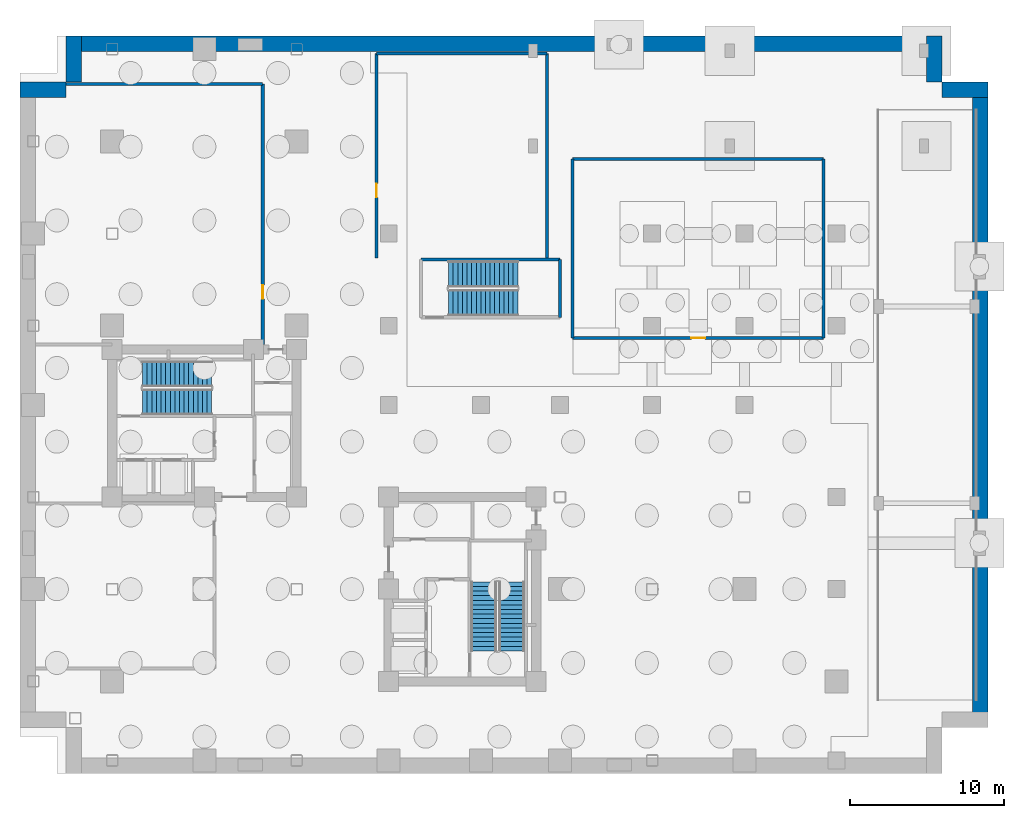
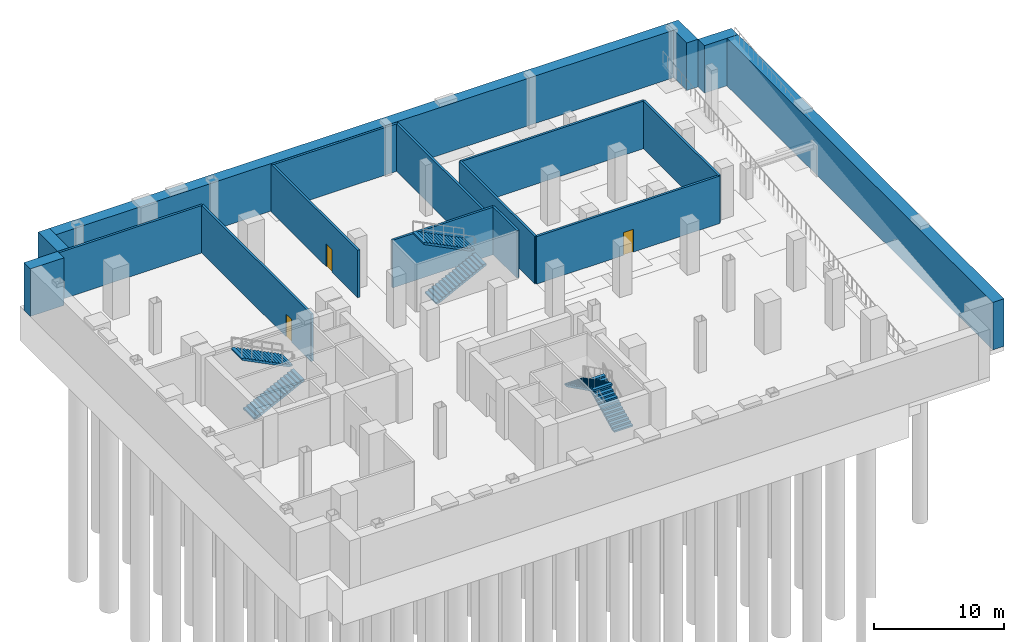
# One storey, part 4 of 7: 17 walls, 6 stair flights, 3 doors, 3 openings, 3 elements without a shape of their own.
"""IFC4 building model written with IfcOpenShell, lengths in metres."""

import ifcopenshell
import ifcopenshell.guid

model = None  # the IFC model being written
_history = None  # IfcOwnerHistory: only IFC2X3 demands one
_inside = {}  # id of a spatial element -> (the spatial element, [elements in it])
_under = {}  # id of a project, library or spatial element -> (it, [spatial elements below it])
_declared = {}  # id of a project -> (the project, [libraries it declares])
_typed = {}  # id of a type object -> (the type object, [elements of that type])
_made_of = {}  # id of a material, layer set ... -> (it, [elements and type objects made of it])


def new_model(schema):
    """Start an empty IFC model of exactly this schema.

    Asked for "IFC4X3", IfcOpenShell would pick the latest addendum, in which some entities
    have other attributes; the version numbers below select the first issue.
    IFC2X3 requires an IfcOwnerHistory on every rooted entity: one is made here for all.
    """
    global model, _history
    if schema == "IFC4X3":
        model = ifcopenshell.file(schema_version=(4, 3, 0, 0))
    else:
        model = ifcopenshell.file(schema=schema)
    _inside.clear()
    _under.clear()
    _declared.clear()
    _typed.clear()
    _made_of.clear()
    _history = None
    if model.schema == "IFC2X3":
        org = make("IfcOrganization", Name="unknown")
        user = make(
            "IfcPersonAndOrganization",
            ThePerson=make("IfcPerson", FamilyName="unknown"),
            TheOrganization=org,
        )
        app = make(
            "IfcApplication",
            ApplicationDeveloper=org,
            Version="unknown",
            ApplicationFullName="unknown",
            ApplicationIdentifier="unknown",
        )
        _history = make(
            "IfcOwnerHistory",
            OwningUser=user,
            OwningApplication=app,
            ChangeAction="ADDED",
            CreationDate=0,
        )
    return model


def make(cls, **values):
    """One entity of the class cls with the attributes given. An attribute that is None is left unset."""
    return model.create_entity(
        cls, **{name: value for name, value in values.items() if value is not None}
    )


def rooted(cls, **values):
    """An entity with a GlobalId (a new one), such as an element, a storey or a relation."""
    return make(cls, GlobalId=ifcopenshell.guid.new(), OwnerHistory=_history, **values)


def si_unit(unit_type, name, prefix=None):
    """IfcSIUnit, for example si_unit("LENGTHUNIT", "METRE", prefix="MILLI")."""
    return make("IfcSIUnit", UnitType=unit_type, Prefix=prefix, Name=name)


def assignment(units):
    """IfcUnitAssignment: the units of a project."""
    return None if units is None else make("IfcUnitAssignment", Units=units)


def point(xyz):
    """IfcCartesianPoint."""
    return None if xyz is None else make("IfcCartesianPoint", Coordinates=xyz)


def direction(xyz):
    """IfcDirection."""
    return None if xyz is None else make("IfcDirection", DirectionRatios=xyz)


def frame(location, z_axis=None, x_axis=None):
    """IfcAxis2Placement3D, a coordinate frame: its origin and axes. An axis left out is left unset."""
    return make(
        "IfcAxis2Placement3D",
        Location=point(location),
        Axis=direction(z_axis),
        RefDirection=direction(x_axis),
    )


def frame_2d(location, x_axis=None):
    """IfcAxis2Placement2D, a coordinate frame in the plane: its origin and x axis."""
    return make(
        "IfcAxis2Placement2D", Location=point(location), RefDirection=direction(x_axis)
    )


def origin():
    """The frame at (0, 0, 0) with its axes left unset."""
    return frame((0.0, 0.0, 0.0))


def place(relative_to, where):
    """IfcLocalPlacement: puts the frame where relative to a parent placement (None: the world)."""
    return make(
        "IfcLocalPlacement", PlacementRelTo=relative_to, RelativePlacement=where
    )


def context(
    kind, dimensions, precision=None, world=None, true_north=None, identifier=None
):
    """IfcGeometricRepresentationContext, for example the 3D "Model" context."""
    return make(
        "IfcGeometricRepresentationContext",
        ContextIdentifier=identifier,
        ContextType=kind,
        CoordinateSpaceDimension=dimensions,
        Precision=precision,
        WorldCoordinateSystem=world,
        TrueNorth=true_north,
    )


def subcontext(parent, identifier, kind, view, scale=None):
    """IfcGeometricRepresentationSubContext, for example "Body" below "Model"."""
    return make(
        "IfcGeometricRepresentationSubContext",
        ContextIdentifier=identifier,
        ContextType=kind,
        ParentContext=parent,
        TargetScale=scale,
        TargetView=view,
    )


def project(units=None, contexts=None):
    """IfcProject with its units and contexts."""
    return rooted(
        "IfcProject",
        Name="project",
        RepresentationContexts=contexts,
        UnitsInContext=assignment(units),
    )


def spatial(cls, under=None, at=None, **own):
    """A site, building, storey or space (cls), placed at a placement, below another one or the project."""
    s = rooted(cls, ObjectPlacement=at, **own)
    if under is not None:
        _under.setdefault(under.id(), (under, []))[1].append(s)
    return s


def polyline(points):
    """IfcPolyline through the points."""
    return make("IfcPolyline", Points=[point(p) for p in points])


def profile(cls, at=None, kind="AREA", **sizes):
    """A parametric profile (cls). Its sizes go by their IFC names, for example OverallWidth=200.0."""
    return make(cls, ProfileType=kind, Position=at, **sizes)


def rectangle(**sizes):
    """IfcRectangleProfileDef."""
    return profile("IfcRectangleProfileDef", **sizes)


def outline(outer, holes=None, kind="AREA"):
    """IfcArbitraryClosedProfileDef: a profile drawn as a closed curve; with holes, ...WithVoids."""
    if holes is None:
        return make("IfcArbitraryClosedProfileDef", ProfileType=kind, OuterCurve=outer)
    return make(
        "IfcArbitraryProfileDefWithVoids",
        ProfileType=kind,
        OuterCurve=outer,
        InnerCurves=holes,
    )


def extrude(swept, where, along, depth):
    """IfcExtrudedAreaSolid: the profile swept, set in the frame where, extruded along a direction by depth."""
    return make(
        "IfcExtrudedAreaSolid",
        SweptArea=swept,
        Position=where,
        ExtrudedDirection=direction(along),
        Depth=depth,
    )


def shape(context_of_items, identifier, shape_type, items):
    """IfcShapeRepresentation: the items that make up one representation, for example the "Body"."""
    return make(
        "IfcShapeRepresentation",
        ContextOfItems=context_of_items,
        RepresentationIdentifier=identifier,
        RepresentationType=shape_type,
        Items=items,
    )


def material(Name=None, Category=None):
    """IfcMaterial."""
    return make("IfcMaterial", Name=Name, Category=Category)


def layer(
    of_material, thickness, ventilated=None, Name=None, Category=None, Priority=None
):
    """IfcMaterialLayer: one layer of a wall or slab, of a material (None: an air gap)."""
    return make(
        "IfcMaterialLayer",
        Material=of_material,
        LayerThickness=thickness,
        IsVentilated=ventilated,
        Name=Name,
        Category=Category,
        Priority=Priority,
    )


def layer_set(layers, Name=None):
    """IfcMaterialLayerSet."""
    return make("IfcMaterialLayerSet", MaterialLayers=layers, LayerSetName=Name)


def made_of(thing, what):
    """Note that an element or type object is made of a material, layer set ...; save() writes the relation."""
    if what is not None:
        _made_of.setdefault(what.id(), (what, []))[1].append(thing)
    return thing


def type_object(cls, material=None, **own):
    """A type object (cls), such as IfcWallType, which elements share."""
    return made_of(rooted(cls, **own), material)


def element(
    cls,
    number,
    at=None,
    inside=None,
    cuts=None,
    type_object=None,
    material=None,
    context=None,
    identifier="Body",
    shape_type=None,
    held_by="IfcProductDefinitionShape",
    body=None,
    shapes=None,
    **own,
):
    """One element of the class cls, such as IfcWall. Its Tag is "e" and its number.

    at: its placement. inside: the storey or other place that contains it. cuts: it is an
    opening in that element (IfcRelVoidsElement). A single representation is given by context,
    identifier, shape_type and body (its items); several are given by shapes. held_by: the class
    of the entity that holds the representations. save() writes the other relations.
    """
    e = rooted(cls, Tag="e%d" % number, ObjectPlacement=at, **own)
    if body is not None:
        shapes = [shape(context, identifier, shape_type, body)]
    if shapes is not None:
        e.Representation = make(held_by, Representations=shapes)
    if inside is not None:
        _inside.setdefault(inside.id(), (inside, []))[1].append(e)
    if cuts is not None:
        rooted(
            "IfcRelVoidsElement", RelatingBuildingElement=cuts, RelatedOpeningElement=e
        )
    if type_object is not None:
        _typed.setdefault(type_object.id(), (type_object, []))[1].append(e)
    return made_of(e, material)


def fill(opening, filler):
    """IfcRelFillsElement: the door or window that sits in an opening."""
    return rooted(
        "IfcRelFillsElement",
        RelatingOpeningElement=opening,
        RelatedBuildingElement=filler,
    )


def aggregate(whole, parts):
    """IfcRelAggregates: a whole, such as a stair, and the parts it consists of."""
    return rooted("IfcRelAggregates", RelatingObject=whole, RelatedObjects=parts)


def save(model, path):
    """Write the relations noted so far, then the file.

    IfcRelAggregates (storeys below a building ...), IfcRelContainedInSpatialStructure (elements
    in a storey), IfcRelDefinesByType, IfcRelAssociatesMaterial and IfcRelDeclares: one each for
    every whole, place, type object, material and project.
    """
    for whole, parts in _under.values():
        aggregate(whole, parts)
    for where, things in _inside.values():
        rooted(
            "IfcRelContainedInSpatialStructure",
            RelatedElements=things,
            RelatingStructure=where,
        )
    for kind, things in _typed.values():
        rooted("IfcRelDefinesByType", RelatedObjects=things, RelatingType=kind)
    for what, things in _made_of.values():
        rooted("IfcRelAssociatesMaterial", RelatedObjects=things, RelatingMaterial=what)
    for by, libraries in _declared.values():
        rooted("IfcRelDeclares", RelatingContext=by, RelatedDefinitions=libraries)
    model.write(path)


model = new_model("IFC4")

# Units and contexts
model_context = context("Model", 3, precision=1e-05, world=origin(), true_north=direction((0.0, 1.0)))
body_context = subcontext(model_context, "Body", "Model", "MODEL_VIEW")
ifc_project = project(units=[si_unit("LENGTHUNIT", "METRE"), si_unit("AREAUNIT", "SQUARE_METRE"), si_unit("VOLUMEUNIT", "CUBIC_METRE"), si_unit("PLANEANGLEUNIT", "RADIAN"), si_unit("MASSUNIT", "GRAM", prefix="KILO"), si_unit("THERMODYNAMICTEMPERATUREUNIT", "KELVIN"), si_unit("POWERUNIT", "WATT")], contexts=[model_context])

# Site, building, storey
site_placement = place(None, origin())
site = spatial("IfcSite", under=ifc_project, at=site_placement, CompositionType="ELEMENT")
building_placement = place(site_placement, origin())
building = spatial("IfcBuilding", under=site, at=building_placement, Name="Svarakhadi Broadcast Tower", CompositionType="ELEMENT")
storey_placement = place(building_placement, frame((0.0, 0.0, -9.60009765625)))
storey = spatial("IfcBuildingStorey", under=building, at=storey_placement, Name="B02", CompositionType="ELEMENT", Elevation=-9.60009765625)

# Walls
ifc_material_1 = material(Name="Concrete C45/55 (IS 456 M55 Marine)", Category="concrete")
ifc_layer_1 = layer(ifc_material_1, 1.0)
ifc_layer_set_1 = layer_set([ifc_layer_1], Name="Concrete C45/55 (IS 456 M55 Marine)")
wall_type_1 = type_object("IfcWallType", Name="Wall_Diaphragm_1000", PredefinedType="USERDEFINED", material=ifc_layer_set_1)
for number, where, z_axis, x_axis, name in (
    (1, (0.0, 44.5, 0.0), (0.0, 0.0, 1.0), (1.0, 0.0, 0.0), "B02 Perimeter Slurry Diaphragm Retaining Wall 03"),
    (2, (3.5, 45.0, 0.0), (0.0, 0.0, 1.0), (0.0, 1.0, 0.0), "B02 Perimeter Slurry Diaphragm Retaining Wall 04"),
):
    element("IfcWall", number, at=place(storey_placement, frame(where, z_axis=z_axis, x_axis=x_axis)), inside=storey, type_object=wall_type_1, Name=name, ObjectType="RETAININGWALL", PredefinedType="USERDEFINED", context=body_context, shape_type="SweptSolid", body=[
        extrude(rectangle(XDim=3.0, YDim=1.0, at=frame_2d((1.5, 0.0))), origin(), (0.0, 0.0, 1.0), 4.47509765625),
    ])
wall_1_placement = place(storey_placement, frame((3.0, 47.5, 0.0), z_axis=(0.0, 0.0, 1.0), x_axis=(1.0, 0.0, 0.0)))
element("IfcWall", 3, at=wall_1_placement, inside=storey, type_object=wall_type_1, Name="B02 Perimeter Slurry Diaphragm Retaining Wall 05", ObjectType="RETAININGWALL", PredefinedType="USERDEFINED", context=body_context, shape_type="SweptSolid", body=[
    extrude(rectangle(XDim=57.0, YDim=1.0, at=frame_2d((28.5, 0.0))), origin(), (0.0, 0.0, 1.0), 4.47509765625),
])
for number, where, z_axis, x_axis, name in (
    (4, (59.5, 48.0, 0.0), (0.0, 0.0, 1.0), (0.0, -1.0, 0.0), "B02 Perimeter Slurry Diaphragm Retaining Wall 06"),
    (5, (60.0, 44.5, 0.0), (0.0, 0.0, 1.0), (1.0, 0.0, 0.0), "B02 Perimeter Slurry Diaphragm Retaining Wall 07"),
):
    element("IfcWall", number, at=place(storey_placement, frame(where, z_axis=z_axis, x_axis=x_axis)), inside=storey, type_object=wall_type_1, Name=name, ObjectType="RETAININGWALL", PredefinedType="USERDEFINED", context=body_context, shape_type="SweptSolid", body=[
        extrude(rectangle(XDim=3.0, YDim=1.0, at=frame_2d((1.5, 0.0))), origin(), (0.0, 0.0, 1.0), 4.47509765625),
    ])
wall_2_placement = place(storey_placement, frame((62.5, 45.0, 0.0), z_axis=(0.0, 0.0, 1.0), x_axis=(0.0, -1.0, 0.0)))
element("IfcWall", 6, at=wall_2_placement, inside=storey, type_object=wall_type_1, Name="B02 Perimeter Slurry Diaphragm Retaining Wall 08", ObjectType="RETAININGWALL", PredefinedType="USERDEFINED", context=body_context, shape_type="SweptSolid", body=[
    extrude(rectangle(XDim=42.0, YDim=1.0, at=frame_2d((21.0, 0.0))), origin(), (0.0, 0.0, 1.0), 4.47509765625),
])
ifc_material_2 = material(Name="Concrete C40/50 (IS 456 M50)", Category="concrete")
ifc_layer_2 = layer(ifc_material_2, 0.199951171875)
ifc_layer_set_2 = layer_set([ifc_layer_2], Name="Concrete C40/50 (IS 456 M50)")
wall_type_2 = type_object("IfcWallType", Name="Wall_Fire_200", PredefinedType="SOLIDWALL", material=ifc_layer_set_2)
wall_3_placement = place(storey_placement, frame((3.0, 44.8798828125, 0.0), z_axis=(0.0, 0.0, 1.0), x_axis=(1.0, 0.0, 0.0)))
element("IfcWall", 7, at=wall_3_placement, inside=storey, type_object=wall_type_2, Name="B02 High-Voltage Substation Plant Room Wall", PredefinedType="SOLIDWALL", context=body_context, shape_type="SweptSolid", body=[
    extrude(rectangle(XDim=12.800048828125, YDim=0.199951171875, at=frame_2d((6.39990234375, 0.0))), origin(), (0.0, 0.0, 1.0), 4.47509765625),
])

# Wall, opening, door
wall_4_placement = place(storey_placement, frame((15.800048828125, 27.919921875, 0.0), z_axis=(0.0, 0.0, 1.0), x_axis=(0.0, 1.0, 0.0)))
wall_4 = element("IfcWall", 8, at=wall_4_placement, inside=storey, type_object=wall_type_2, Name="B02 High-Voltage Substation Plant Room Wall", PredefinedType="SOLIDWALL", context=body_context, shape_type="SweptSolid", body=[
    extrude(rectangle(XDim=16.9599609375, YDim=0.199951171875, at=frame_2d((8.47998046875, 0.0))), origin(), (0.0, 0.0, 1.0), 4.47509765625),
])
opening_1_placement = place(wall_4_placement, frame((2.97998046875, 0.0, 0.0)))
opening_1 = element("IfcOpeningElement", 9, at=opening_1_placement, cuts=wall_4, Name="Opening D-04", PredefinedType="OPENING", context=body_context, shape_type="SweptSolid", body=[
    extrude(rectangle(XDim=0.89990234375, YDim=2.14990234375, at=frame_2d((0.449951171875, 1.074951171875))), frame((0.0, 0.10986328125, 0.0), z_axis=(0.0, -1.0, 0.0), x_axis=(1.0, 0.0, 0.0)), (0.0, 0.0, 1.0), 0.219970703125),
])
ifc_material_3 = material(Name="Galvanised Powder-Coated Fire-Rated Steel Leaf", Category="steel")
door_type_1 = type_object("IfcDoorType", Name="Door_Fire_D04", OperationType="SINGLE_SWING_RIGHT", PredefinedType="DOOR", material=ifc_material_3)
door_1_placement = place(opening_1_placement, origin())
door_1 = element("IfcDoor", 10, at=door_1_placement, inside=storey, type_object=door_type_1, Name="B02 High-Voltage Substation Plant Room Door", OperationType="SINGLE_SWING_RIGHT", OverallHeight=2.14990234375, OverallWidth=0.89990234375, PredefinedType="DOOR", context=body_context, shape_type="SweptSolid", body=[
    extrude(rectangle(XDim=0.89990234375, YDim=2.14990234375, at=frame_2d((0.449951171875, 1.074951171875))), frame((0.0, 0.02490234375, 0.0), z_axis=(0.0, -1.0, 0.0), x_axis=(1.0, 0.0, 0.0)), (0.0, 0.0, 1.0), 0.050048828125),
])
fill(opening_1, door_1)

wall_5_placement = place(storey_placement, frame((35.949951171875, 28.35009765625, 0.0), z_axis=(0.0, 0.0, 1.0), x_axis=(1.0, 0.0, 0.0)))
wall_5 = element("IfcWall", 11, at=wall_5_placement, inside=storey, type_object=wall_type_2, Name="B02 Domestic Water Tank and Pump Plant Room Wall", PredefinedType="SOLIDWALL", context=body_context, shape_type="SweptSolid", body=[
    extrude(rectangle(XDim=16.35009765625, YDim=0.199951171875, at=frame_2d((8.175048828125, 0.0))), origin(), (0.0, 0.0, 1.0), 4.47509765625),
])
opening_2_placement = place(wall_5_placement, frame((7.75, 0.0, 0.0)))
opening_2 = element("IfcOpeningElement", 12, at=opening_2_placement, cuts=wall_5, Name="Opening D-04", PredefinedType="OPENING", context=body_context, shape_type="SweptSolid", body=[
    extrude(rectangle(XDim=0.89990234375, YDim=2.14990234375, at=frame_2d((0.449951171875, 1.074951171875))), frame((0.0, 0.10986328125, 0.0), z_axis=(0.0, -1.0, 0.0), x_axis=(1.0, 0.0, 0.0)), (0.0, 0.0, 1.0), 0.219970703125),
])
door_2_placement = place(opening_2_placement, origin())
door_2 = element("IfcDoor", 13, at=door_2_placement, inside=storey, type_object=door_type_1, Name="B02 Domestic Water Tank and Pump Plant Room Door", OperationType="SINGLE_SWING_RIGHT", OverallHeight=2.14990234375, OverallWidth=0.89990234375, PredefinedType="DOOR", context=body_context, shape_type="SweptSolid", body=[
    extrude(rectangle(XDim=0.89990234375, YDim=2.14990234375, at=frame_2d((0.449951171875, 1.074951171875))), frame((0.0, 0.02490234375, 0.0), z_axis=(0.0, -1.0, 0.0), x_axis=(1.0, 0.0, 0.0)), (0.0, 0.0, 1.0), 0.050048828125),
])
fill(opening_2, door_2)

# Walls
wall_6_placement = place(storey_placement, frame((35.949951171875, 40.0, 0.0), z_axis=(0.0, 0.0, 1.0), x_axis=(1.0, 0.0, 0.0)))
element("IfcWall", 14, at=wall_6_placement, inside=storey, type_object=wall_type_2, Name="B02 Domestic Water Tank and Pump Plant Room Wall", PredefinedType="SOLIDWALL", context=body_context, shape_type="SweptSolid", body=[
    extrude(rectangle(XDim=16.35009765625, YDim=0.199951171875, at=frame_2d((8.175048828125, 0.0))), origin(), (0.0, 0.0, 1.0), 4.47509765625),
])
for number, where, z_axis, x_axis, name in (
    (15, (35.949951171875, 28.35009765625, 0.0), (0.0, 0.0, 1.0), (0.0, 1.0, 0.0), "B02 Domestic Water Tank and Pump Plant Room Wall"),
    (16, (52.300048828125, 28.35009765625, 0.0), (0.0, 0.0, 1.0), (0.0, 1.0, 0.0), "B02 Domestic Water Tank and Pump Plant Room Wall"),
):
    element("IfcWall", number, at=place(storey_placement, frame(where, z_axis=z_axis, x_axis=x_axis)), inside=storey, type_object=wall_type_2, Name=name, PredefinedType="SOLIDWALL", context=body_context, shape_type="SweptSolid", body=[
        extrude(rectangle(XDim=11.64990234375, YDim=0.199951171875, at=frame_2d((5.824951171875, 0.0))), origin(), (0.0, 0.0, 1.0), 4.47509765625),
    ])
wall_7_placement = place(storey_placement, frame((23.199951171875, 46.8798828125, 0.0), z_axis=(0.0, 0.0, 1.0), x_axis=(1.0, 0.0, 0.0)))
element("IfcWall", 17, at=wall_7_placement, inside=storey, type_object=wall_type_2, Name="B02 Standby Generator Plant Room Wall", PredefinedType="SOLIDWALL", context=body_context, shape_type="SweptSolid", body=[
    extrude(rectangle(XDim=11.10009765625, YDim=0.199951171875, at=frame_2d((5.550048828125, 0.0))), origin(), (0.0, 0.0, 1.0), 4.47509765625),
])

# Wall, opening, door
wall_8_placement = place(storey_placement, frame((23.199951171875, 33.550048828125, 0.0), z_axis=(0.0, 0.0, 1.0), x_axis=(0.0, 1.0, 0.0)))
wall_8 = element("IfcWall", 18, at=wall_8_placement, inside=storey, type_object=wall_type_2, Name="B02 Standby Generator Plant Room Wall", PredefinedType="SOLIDWALL", context=body_context, shape_type="SweptSolid", body=[
    extrude(rectangle(XDim=13.329833984375, YDim=0.199951171875, at=frame_2d((6.6650390625, 0.0))), origin(), (0.0, 0.0, 1.0), 4.47509765625),
])
opening_3_placement = place(wall_8_placement, frame((3.949951171875, 0.0, 0.0)))
opening_3 = element("IfcOpeningElement", 19, at=opening_3_placement, cuts=wall_8, Name="Opening D-03", PredefinedType="OPENING", context=body_context, shape_type="SweptSolid", body=[
    extrude(rectangle(XDim=0.89990234375, YDim=2.14990234375, at=frame_2d((0.449951171875, 1.074951171875))), frame((0.0, 0.10986328125, 0.0), z_axis=(0.0, -1.0, 0.0), x_axis=(1.0, 0.0, 0.0)), (0.0, 0.0, 1.0), 0.219970703125),
])
door_type_2 = type_object("IfcDoorType", Name="Door_Fire_D03", OperationType="SINGLE_SWING_LEFT", PredefinedType="DOOR", material=ifc_material_3)
door_3_placement = place(opening_3_placement, origin())
door_3 = element("IfcDoor", 20, at=door_3_placement, inside=storey, type_object=door_type_2, Name="B02 Standby Generator Plant Room Door", OperationType="SINGLE_SWING_LEFT", OverallHeight=2.14990234375, OverallWidth=0.89990234375, PredefinedType="DOOR", context=body_context, shape_type="SweptSolid", body=[
    extrude(rectangle(XDim=0.89990234375, YDim=2.14990234375, at=frame_2d((0.449951171875, 1.074951171875))), frame((0.0, 0.02490234375, 0.0), z_axis=(0.0, -1.0, 0.0), x_axis=(1.0, 0.0, 0.0)), (0.0, 0.0, 1.0), 0.050048828125),
])
fill(opening_3, door_3)

# Walls
wall_9_placement = place(storey_placement, frame((34.300048828125, 33.550048828125, 0.0), z_axis=(0.0, 0.0, 1.0), x_axis=(0.0, 1.0, 0.0)))
element("IfcWall", 21, at=wall_9_placement, inside=storey, type_object=wall_type_2, Name="B02 Standby Generator Plant Room Wall", PredefinedType="SOLIDWALL", context=body_context, shape_type="SweptSolid", body=[
    extrude(rectangle(XDim=13.329833984375, YDim=0.199951171875, at=frame_2d((6.6650390625, 0.0))), origin(), (0.0, 0.0, 1.0), 4.47509765625),
])
ifc_material_4 = material(Name="Concrete C50/60 (IS 456 M60)", Category="concrete")
ifc_layer_3 = layer(ifc_material_4, 0.199951171875)
ifc_layer_set_3 = layer_set([ifc_layer_3], Name="Concrete C50/60 (IS 456 M60)")
wall_type_3 = type_object("IfcWallType", Name="Wall_Shear_200", PredefinedType="SHEAR", material=ifc_layer_set_3)
wall_10_placement = place(storey_placement, frame((26.10009765625, 33.4599609375, 0.0), z_axis=(0.0, 0.0, 1.0), x_axis=(1.0, 0.0, 0.0)))
element("IfcWall", 22, at=wall_10_placement, inside=storey, type_object=wall_type_3, Name="B02 Stair ST-03 North RC Shaft Wall", PredefinedType="SHEAR", context=body_context, shape_type="SweptSolid", body=[
    extrude(rectangle(XDim=9.0498046875, YDim=0.199951171875, at=frame_2d((4.52490234375, 0.0))), origin(), (0.0, 0.0, 1.0), 4.47509765625),
])
wall_11_placement = place(storey_placement, frame((35.14990234375, 29.699951171875, 0.0), z_axis=(0.0, 0.0, 1.0), x_axis=(0.0, 1.0, 0.0)))
element("IfcWall", 23, at=wall_11_placement, inside=storey, type_object=wall_type_3, Name="B02 Stair ST-03 East RC Shaft Wall", PredefinedType="SHEAR", context=body_context, shape_type="SweptSolid", body=[
    extrude(rectangle(XDim=3.760009765625, YDim=0.199951171875, at=frame_2d((1.8798828125, 0.0))), origin(), (0.0, 0.0, 1.0), 4.47509765625),
])

# Stair, stair flights
stair_type_1 = type_object("IfcStairType", Name="Stair_Exit_Core", PredefinedType="HALF_TURN_STAIR", material=ifc_material_2)
stair_1_placement = place(storey_placement, origin())
stair_1 = element("IfcStair", 24, at=stair_1_placement, inside=storey, type_object=stair_type_1, Name="B02 West Core Protected Exit Stair ST-01", PredefinedType="HALF_TURN_STAIR")
stair_flight_type_1 = type_object("IfcStairFlightType", Name="Flight_RC_1680", PredefinedType="STRAIGHT", material=ifc_material_2)
stair_flight_1_placement = place(storey_placement, frame((7.97998046875, 24.18994140625, 0.0), z_axis=(0.0, 0.0, 1.0), x_axis=(1.0, 0.0, 0.0)))
stair_flight_1 = element("IfcStairFlight", 25, at=stair_flight_1_placement, type_object=stair_flight_type_1, Name="ST-01 flight 1", NumberOfRisers=16, NumberOfTreads=15, PredefinedType="STRAIGHT", RiserHeight=0.15, TreadLength=0.3, context=body_context, shape_type="SweptSolid", body=[
    extrude(outline(polyline([(0.0, 0.0), (0.0, 0.14990234375), (0.300048828125, 0.14990234375), (0.300048828125, 0.300048828125), (0.60009765625, 0.300048828125), (0.60009765625, 0.449951171875), (0.89990234375, 0.449951171875), (0.89990234375, 0.60009765625), (1.199951171875, 0.60009765625), (1.199951171875, 0.75), (1.5, 0.75), (1.5, 0.89990234375), (1.800048828125, 0.89990234375), (1.800048828125, 1.050048828125), (2.10009765625, 1.050048828125), (2.10009765625, 1.199951171875), (2.39990234375, 1.199951171875), (2.39990234375, 1.35009765625), (2.699951171875, 1.35009765625), (2.699951171875, 1.5), (3.0, 1.5), (3.0, 1.64990234375), (3.300048828125, 1.64990234375), (3.300048828125, 1.800048828125), (3.60009765625, 1.800048828125), (3.60009765625, 1.949951171875), (3.89990234375, 1.949951171875), (3.89990234375, 2.10009765625), (4.199951171875, 2.10009765625), (4.199951171875, 2.25), (4.5, 2.25), (4.5, 2.39990234375), (4.5, 2.08251953125), (0.335205078125, 0.0), (0.0, 0.0)])), frame((0.0, 0.830078125, 0.0), z_axis=(0.0, -1.0, 0.0), x_axis=(1.0, 0.0, 0.0)), (0.0, 0.0, 1.0), 1.659912109375),
])
stair_flight_2_placement = place(storey_placement, frame((12.47998046875, 26.010009765625, 2.400146484375), z_axis=(0.0, 0.0, 1.0), x_axis=(-1.0, 0.0, 0.0)))
stair_flight_2 = element("IfcStairFlight", 26, at=stair_flight_2_placement, type_object=stair_flight_type_1, Name="ST-01 flight 2", NumberOfRisers=16, NumberOfTreads=15, PredefinedType="STRAIGHT", RiserHeight=0.15, TreadLength=0.3, context=body_context, shape_type="SweptSolid", body=[
    extrude(outline(polyline([(0.0, 0.0), (0.0, 0.14990234375), (0.300048828125, 0.14990234375), (0.300048828125, 0.300048828125), (0.60009765625, 0.300048828125), (0.60009765625, 0.449951171875), (0.89990234375, 0.449951171875), (0.89990234375, 0.60009765625), (1.199951171875, 0.60009765625), (1.199951171875, 0.75), (1.5, 0.75), (1.5, 0.89990234375), (1.800048828125, 0.89990234375), (1.800048828125, 1.050048828125), (2.10009765625, 1.050048828125), (2.10009765625, 1.199951171875), (2.39990234375, 1.199951171875), (2.39990234375, 1.35009765625), (2.699951171875, 1.35009765625), (2.699951171875, 1.5), (3.0, 1.5), (3.0, 1.64990234375), (3.300048828125, 1.64990234375), (3.300048828125, 1.800048828125), (3.60009765625, 1.800048828125), (3.60009765625, 1.949951171875), (3.89990234375, 1.949951171875), (3.89990234375, 2.10009765625), (4.199951171875, 2.10009765625), (4.199951171875, 2.25), (4.5, 2.25), (4.5, 2.39990234375), (4.5, 2.08251953125), (0.335205078125, 0.0), (0.0, 0.0)])), frame((0.0, 0.830078125, 0.0), z_axis=(0.0, -1.0, 0.0), x_axis=(1.0, 0.0, 0.0)), (0.0, 0.0, 1.0), 1.659912109375),
])
aggregate(stair_1, [stair_flight_1, stair_flight_2])

stair_2_placement = place(storey_placement, origin())
stair_2 = element("IfcStair", 27, at=stair_2_placement, inside=storey, type_object=stair_type_1, Name="B02 East Core Protected Exit Stair ST-02", PredefinedType="HALF_TURN_STAIR")
stair_flight_3_placement = place(storey_placement, frame((32.010009765625, 7.97998046875, 0.0), z_axis=(0.0, 0.0, 1.0), x_axis=(0.0, 1.0, 0.0)))
stair_flight_3 = element("IfcStairFlight", 28, at=stair_flight_3_placement, type_object=stair_flight_type_1, Name="ST-02 flight 1", NumberOfRisers=16, NumberOfTreads=15, PredefinedType="STRAIGHT", RiserHeight=0.15, TreadLength=0.3, context=body_context, shape_type="SweptSolid", body=[
    extrude(outline(polyline([(0.0, 0.0), (0.0, 0.14990234375), (0.300048828125, 0.14990234375), (0.300048828125, 0.300048828125), (0.60009765625, 0.300048828125), (0.60009765625, 0.449951171875), (0.89990234375, 0.449951171875), (0.89990234375, 0.60009765625), (1.199951171875, 0.60009765625), (1.199951171875, 0.75), (1.5, 0.75), (1.5, 0.89990234375), (1.800048828125, 0.89990234375), (1.800048828125, 1.050048828125), (2.10009765625, 1.050048828125), (2.10009765625, 1.199951171875), (2.39990234375, 1.199951171875), (2.39990234375, 1.35009765625), (2.699951171875, 1.35009765625), (2.699951171875, 1.5), (3.0, 1.5), (3.0, 1.64990234375), (3.300048828125, 1.64990234375), (3.300048828125, 1.800048828125), (3.60009765625, 1.800048828125), (3.60009765625, 1.949951171875), (3.89990234375, 1.949951171875), (3.89990234375, 2.10009765625), (4.199951171875, 2.10009765625), (4.199951171875, 2.25), (4.5, 2.25), (4.5, 2.39990234375), (4.5, 2.08251953125), (0.335205078125, 0.0), (0.0, 0.0)])), frame((0.0, 0.830078125, 0.0), z_axis=(0.0, -1.0, 0.0), x_axis=(1.0, 0.0, 0.0)), (0.0, 0.0, 1.0), 1.659912109375),
])
stair_flight_4_placement = place(storey_placement, frame((30.18994140625, 12.47998046875, 2.400146484375), z_axis=(0.0, 0.0, 1.0), x_axis=(0.0, -1.0, 0.0)))
stair_flight_4 = element("IfcStairFlight", 29, at=stair_flight_4_placement, type_object=stair_flight_type_1, Name="ST-02 flight 2", NumberOfRisers=16, NumberOfTreads=15, PredefinedType="STRAIGHT", RiserHeight=0.15, TreadLength=0.3, context=body_context, shape_type="SweptSolid", body=[
    extrude(outline(polyline([(0.0, 0.0), (0.0, 0.14990234375), (0.300048828125, 0.14990234375), (0.300048828125, 0.300048828125), (0.60009765625, 0.300048828125), (0.60009765625, 0.449951171875), (0.89990234375, 0.449951171875), (0.89990234375, 0.60009765625), (1.199951171875, 0.60009765625), (1.199951171875, 0.75), (1.5, 0.75), (1.5, 0.89990234375), (1.800048828125, 0.89990234375), (1.800048828125, 1.050048828125), (2.10009765625, 1.050048828125), (2.10009765625, 1.199951171875), (2.39990234375, 1.199951171875), (2.39990234375, 1.35009765625), (2.699951171875, 1.35009765625), (2.699951171875, 1.5), (3.0, 1.5), (3.0, 1.64990234375), (3.300048828125, 1.64990234375), (3.300048828125, 1.800048828125), (3.60009765625, 1.800048828125), (3.60009765625, 1.949951171875), (3.89990234375, 1.949951171875), (3.89990234375, 2.10009765625), (4.199951171875, 2.10009765625), (4.199951171875, 2.25), (4.5, 2.25), (4.5, 2.39990234375), (4.5, 2.08251953125), (0.335205078125, 0.0), (0.0, 0.0)])), frame((0.0, 0.830078125, 0.0), z_axis=(0.0, -1.0, 0.0), x_axis=(1.0, 0.0, 0.0)), (0.0, 0.0, 1.0), 1.659912109375),
])
aggregate(stair_2, [stair_flight_3, stair_flight_4])

stair_type_2 = type_object("IfcStairType", Name="Stair_Exit_Pod", PredefinedType="HALF_TURN_STAIR", material=ifc_material_2)
stair_3_placement = place(storey_placement, origin())
stair_3 = element("IfcStair", 30, at=stair_3_placement, inside=storey, type_object=stair_type_2, Name="B02 Podium Concourse Broadcast Exit Stair ST-03", PredefinedType="HALF_TURN_STAIR")
stair_flight_type_2 = type_object("IfcStairFlightType", Name="Flight_RC_1800", PredefinedType="STRAIGHT", material=ifc_material_2)
stair_flight_5_placement = place(storey_placement, frame((27.89990234375, 30.64990234375, 0.0), z_axis=(0.0, 0.0, 1.0), x_axis=(1.0, 0.0, 0.0)))
stair_flight_5 = element("IfcStairFlight", 31, at=stair_flight_5_placement, type_object=stair_flight_type_2, Name="ST-03 flight 1", NumberOfRisers=16, NumberOfTreads=15, PredefinedType="STRAIGHT", RiserHeight=0.15, TreadLength=0.3, context=body_context, shape_type="SweptSolid", body=[
    extrude(outline(polyline([(0.0, 0.0), (0.0, 0.14990234375), (0.300048828125, 0.14990234375), (0.300048828125, 0.300048828125), (0.60009765625, 0.300048828125), (0.60009765625, 0.449951171875), (0.89990234375, 0.449951171875), (0.89990234375, 0.60009765625), (1.199951171875, 0.60009765625), (1.199951171875, 0.75), (1.5, 0.75), (1.5, 0.89990234375), (1.800048828125, 0.89990234375), (1.800048828125, 1.050048828125), (2.10009765625, 1.050048828125), (2.10009765625, 1.199951171875), (2.39990234375, 1.199951171875), (2.39990234375, 1.35009765625), (2.699951171875, 1.35009765625), (2.699951171875, 1.5), (3.0, 1.5), (3.0, 1.64990234375), (3.300048828125, 1.64990234375), (3.300048828125, 1.800048828125), (3.60009765625, 1.800048828125), (3.60009765625, 1.949951171875), (3.89990234375, 1.949951171875), (3.89990234375, 2.10009765625), (4.199951171875, 2.10009765625), (4.199951171875, 2.25), (4.5, 2.25), (4.5, 2.39990234375), (4.5, 2.08251953125), (0.335205078125, 0.0), (0.0, 0.0)])), frame((0.0, 0.85009765625, 0.0), z_axis=(0.0, -1.0, 0.0), x_axis=(1.0, 0.0, 0.0)), (0.0, 0.0, 1.0), 1.699951171875),
])
stair_flight_6_placement = place(storey_placement, frame((32.39990234375, 32.510009765625, 2.400146484375), z_axis=(0.0, 0.0, 1.0), x_axis=(-1.0, 0.0, 0.0)))
stair_flight_6 = element("IfcStairFlight", 32, at=stair_flight_6_placement, type_object=stair_flight_type_2, Name="ST-03 flight 2", NumberOfRisers=16, NumberOfTreads=15, PredefinedType="STRAIGHT", RiserHeight=0.15, TreadLength=0.3, context=body_context, shape_type="SweptSolid", body=[
    extrude(outline(polyline([(0.0, 0.0), (0.0, 0.14990234375), (0.300048828125, 0.14990234375), (0.300048828125, 0.300048828125), (0.60009765625, 0.300048828125), (0.60009765625, 0.449951171875), (0.89990234375, 0.449951171875), (0.89990234375, 0.60009765625), (1.199951171875, 0.60009765625), (1.199951171875, 0.75), (1.5, 0.75), (1.5, 0.89990234375), (1.800048828125, 0.89990234375), (1.800048828125, 1.050048828125), (2.10009765625, 1.050048828125), (2.10009765625, 1.199951171875), (2.39990234375, 1.199951171875), (2.39990234375, 1.35009765625), (2.699951171875, 1.35009765625), (2.699951171875, 1.5), (3.0, 1.5), (3.0, 1.64990234375), (3.300048828125, 1.64990234375), (3.300048828125, 1.800048828125), (3.60009765625, 1.800048828125), (3.60009765625, 1.949951171875), (3.89990234375, 1.949951171875), (3.89990234375, 2.10009765625), (4.199951171875, 2.10009765625), (4.199951171875, 2.25), (4.5, 2.25), (4.5, 2.39990234375), (4.5, 2.08251953125), (0.335205078125, 0.0), (0.0, 0.0)])), frame((0.0, 0.85009765625, 0.0), z_axis=(0.0, -1.0, 0.0), x_axis=(1.0, 0.0, 0.0)), (0.0, 0.0, 1.0), 1.699951171875),
])
aggregate(stair_3, [stair_flight_5, stair_flight_6])

save(model, "model.ifc")
